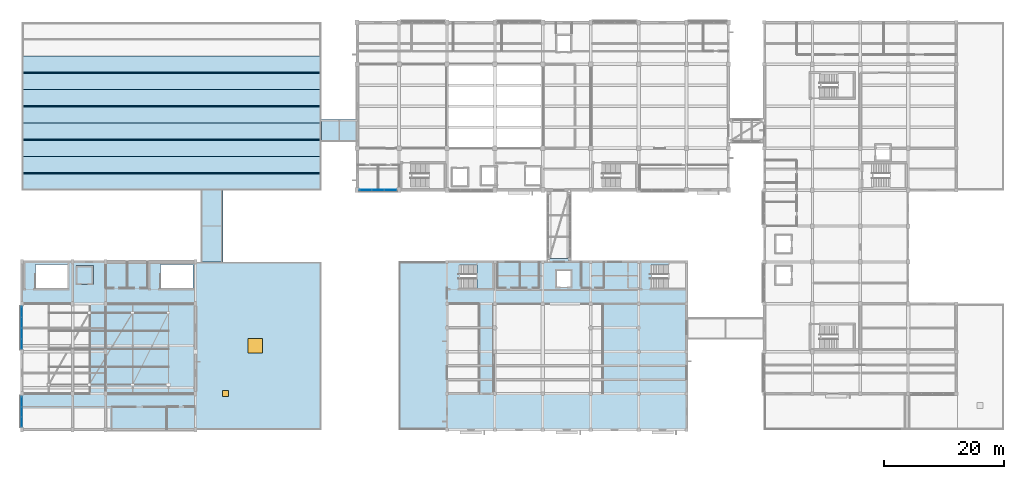
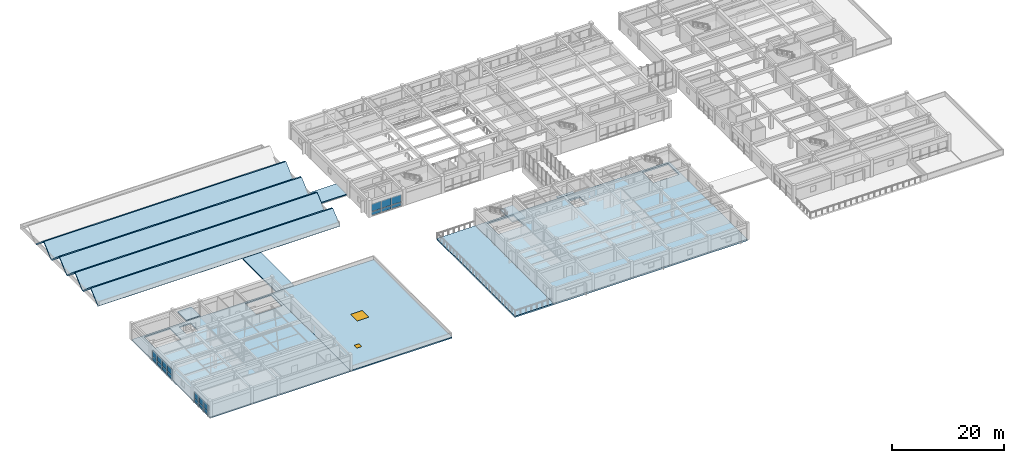
# One storey, part 18 of 42: 21 plates, 16 slabs, 1 door, 1 window, 2 openings, 4 elements without a shape of their own.
"""IFC4 building model written with IfcOpenShell, lengths in metres."""

from ifc_helpers import new_model, si_unit, direction, frame, origin, origin_2d, place, context, subcontext, project, spatial, polyline, rectangle, outline, extrude, material, layer, layer_set, type_object, element, fill, aggregate, save


model = new_model("IFC4")

# Units and contexts
model_context = context("Model", 3, precision=1e-05, world=origin(), true_north=direction((0.0, 1.0)))
body_context = subcontext(model_context, "Body", "Model", "MODEL_VIEW")
ifc_project = project(units=[si_unit("LENGTHUNIT", "METRE"), si_unit("AREAUNIT", "SQUARE_METRE"), si_unit("VOLUMEUNIT", "CUBIC_METRE"), si_unit("PLANEANGLEUNIT", "RADIAN"), si_unit("MASSUNIT", "GRAM", prefix="KILO")], contexts=[model_context])

# Site, building, storey
site_placement = place(None, origin())
site = spatial("IfcSite", under=ifc_project, at=site_placement, CompositionType="ELEMENT")
building_placement = place(site_placement, origin())
building = spatial("IfcBuilding", under=site, at=building_placement, Name="Naurynzar Civic Courthouse", CompositionType="ELEMENT")
storey_placement = place(building_placement, frame((0.0, 0.0, 18.300048828125)))
storey = spatial("IfcBuildingStorey", under=building, at=storey_placement, Name="L05", CompositionType="ELEMENT", Elevation=18.300048828125)

# Curtain wall, plates
ifc_material_1 = material(Name="Aluminium 6063-T6", Category="aluminium")
ifc_layer_1 = layer(ifc_material_1, 0.159912109375)
ifc_layer_set_1 = layer_set([ifc_layer_1], Name="CW-UNIT-1800")
curtain_wall_type = type_object("IfcCurtainWallType", Name="CW-UNIT-1800", PredefinedType="NOTDEFINED", material=ifc_layer_set_1)
curtain_wall_1_placement = place(storey_placement, origin())
curtain_wall_1 = element("IfcCurtainWall", 1, at=curtain_wall_1_placement, inside=storey, type_object=curtain_wall_type, Name="V2 unitised curtain wall 42 L05", PredefinedType="NOTDEFINED")
ifc_material_2 = material(Name="Tempered Laminated Low-E Glass", Category="glass")
ifc_layer_2 = layer(ifc_material_2, 0.035888671875)
ifc_layer_set_2 = layer_set([ifc_layer_2], Name="CWP-IGU-36")
plate_type_1 = type_object("IfcPlateType", Name="CWP-IGU-36", PredefinedType="CURTAIN_PANEL", material=ifc_layer_set_2)
plate_1_placement = place(storey_placement, frame((67.56591796875, 44.0, 0.06982421875), z_axis=(0.0, 0.0, 1.0), x_axis=(-1.0, 0.0, 0.0)))
plate_1 = element("IfcPlate", 2, at=plate_1_placement, type_object=plate_type_1, Name="CW-02 panel 1.1", PredefinedType="CURTAIN_PANEL", context=body_context, shape_type="SweptSolid", body=[
    extrude(rectangle(XDim=1.978271484375, YDim=0.035888671875, at=origin_2d()), origin(), (0.0, 0.0, 1.0), 0.7451171875),
])
plate_2_placement = place(storey_placement, frame((67.56591796875, 44.0, 0.885009765625), z_axis=(0.0, 0.0, 1.0), x_axis=(-1.0, 0.0, 0.0)))
plate_2 = element("IfcPlate", 3, at=plate_2_placement, type_object=plate_type_1, Name="CW-02 panel 1.2", PredefinedType="CURTAIN_PANEL", context=body_context, shape_type="SweptSolid", body=[
    extrude(rectangle(XDim=1.978271484375, YDim=0.035888671875, at=origin_2d()), origin(), (0.0, 0.0, 1.0), 1.64501953125),
])
plate_3_placement = place(storey_placement, frame((65.5, 44.0, 0.06982421875), z_axis=(0.0, 0.0, 1.0), x_axis=(-1.0, 0.0, 0.0)))
plate_3 = element("IfcPlate", 4, at=plate_3_placement, type_object=plate_type_1, Name="CW-02 panel 2.1", PredefinedType="CURTAIN_PANEL", context=body_context, shape_type="SweptSolid", body=[
    extrude(rectangle(XDim=2.013427734375, YDim=0.035888671875, at=origin_2d()), origin(), (0.0, 0.0, 1.0), 0.7451171875),
])
plate_4_placement = place(storey_placement, frame((65.5, 44.0, 0.885009765625), z_axis=(0.0, 0.0, 1.0), x_axis=(-1.0, 0.0, 0.0)))
plate_4 = element("IfcPlate", 5, at=plate_4_placement, type_object=plate_type_1, Name="CW-02 panel 2.2", PredefinedType="CURTAIN_PANEL", context=body_context, shape_type="SweptSolid", body=[
    extrude(rectangle(XDim=2.013427734375, YDim=0.035888671875, at=origin_2d()), origin(), (0.0, 0.0, 1.0), 1.64501953125),
])
plate_5_placement = place(storey_placement, frame((63.43408203125, 44.0, 0.06982421875), z_axis=(0.0, 0.0, 1.0), x_axis=(-1.0, 0.0, 0.0)))
plate_5 = element("IfcPlate", 6, at=plate_5_placement, type_object=plate_type_1, Name="CW-02 panel 3.1", PredefinedType="CURTAIN_PANEL", context=body_context, shape_type="SweptSolid", body=[
    extrude(rectangle(XDim=1.978271484375, YDim=0.035888671875, at=origin_2d()), origin(), (0.0, 0.0, 1.0), 0.7451171875),
])
plate_6_placement = place(storey_placement, frame((63.43408203125, 44.0, 0.885009765625), z_axis=(0.0, 0.0, 1.0), x_axis=(-1.0, 0.0, 0.0)))
plate_6 = element("IfcPlate", 7, at=plate_6_placement, type_object=plate_type_1, Name="CW-02 panel 3.2", PredefinedType="CURTAIN_PANEL", context=body_context, shape_type="SweptSolid", body=[
    extrude(rectangle(XDim=1.978271484375, YDim=0.035888671875, at=origin_2d()), origin(), (0.0, 0.0, 1.0), 1.64501953125),
])
aggregate(curtain_wall_1, [plate_1, plate_2, plate_3, plate_4, plate_5, plate_6])

curtain_wall_2_placement = place(storey_placement, origin())
curtain_wall_2 = element("IfcCurtainWall", 8, at=curtain_wall_2_placement, inside=storey, type_object=curtain_wall_type, Name="V4 unitised curtain wall 83 L05", PredefinedType="NOTDEFINED")
plate_7_placement = place(storey_placement, frame((6.0, 5.30078125, 0.06982421875), z_axis=(0.0, 0.0, 1.0), x_axis=(0.0, 1.0, 0.0)))
plate_7 = element("IfcPlate", 9, at=plate_7_placement, type_object=plate_type_1, Name="CW-02 panel 1.1", PredefinedType="CURTAIN_PANEL", context=body_context, shape_type="SweptSolid", body=[
    extrude(rectangle(XDim=1.611572265625, YDim=0.035888671875, at=origin_2d()), origin(), (0.0, 0.0, 1.0), 0.7451171875),
])
plate_8_placement = place(storey_placement, frame((6.0, 5.30078125, 0.885009765625), z_axis=(0.0, 0.0, 1.0), x_axis=(0.0, 1.0, 0.0)))
plate_8 = element("IfcPlate", 10, at=plate_8_placement, type_object=plate_type_1, Name="CW-02 panel 1.2", PredefinedType="CURTAIN_PANEL", context=body_context, shape_type="SweptSolid", body=[
    extrude(rectangle(XDim=1.611572265625, YDim=0.035888671875, at=origin_2d()), origin(), (0.0, 0.0, 1.0), 1.39501953125),
])
plate_9_placement = place(storey_placement, frame((6.0, 7.0, 0.06982421875), z_axis=(0.0, 0.0, 1.0), x_axis=(0.0, 1.0, 0.0)))
plate_9 = element("IfcPlate", 11, at=plate_9_placement, type_object=plate_type_1, Name="CW-02 panel 2.1", PredefinedType="CURTAIN_PANEL", context=body_context, shape_type="SweptSolid", body=[
    extrude(rectangle(XDim=1.646728515625, YDim=0.035888671875, at=origin_2d()), origin(), (0.0, 0.0, 1.0), 0.7451171875),
])
plate_10_placement = place(storey_placement, frame((6.0, 7.0, 0.885009765625), z_axis=(0.0, 0.0, 1.0), x_axis=(0.0, 1.0, 0.0)))
plate_10 = element("IfcPlate", 12, at=plate_10_placement, type_object=plate_type_1, Name="CW-02 panel 2.2", PredefinedType="CURTAIN_PANEL", context=body_context, shape_type="SweptSolid", body=[
    extrude(rectangle(XDim=1.646728515625, YDim=0.035888671875, at=origin_2d()), origin(), (0.0, 0.0, 1.0), 1.39501953125),
])
plate_11_placement = place(storey_placement, frame((6.0, 8.69921875, 0.06982421875), z_axis=(0.0, 0.0, 1.0), x_axis=(0.0, 1.0, 0.0)))
plate_11 = element("IfcPlate", 13, at=plate_11_placement, type_object=plate_type_1, Name="CW-02 panel 3.1", PredefinedType="CURTAIN_PANEL", context=body_context, shape_type="SweptSolid", body=[
    extrude(rectangle(XDim=1.611572265625, YDim=0.035888671875, at=origin_2d()), origin(), (0.0, 0.0, 1.0), 0.7451171875),
])
plate_12_placement = place(storey_placement, frame((6.0, 8.69921875, 0.885009765625), z_axis=(0.0, 0.0, 1.0), x_axis=(0.0, 1.0, 0.0)))
plate_12 = element("IfcPlate", 14, at=plate_12_placement, type_object=plate_type_1, Name="CW-02 panel 3.2", PredefinedType="CURTAIN_PANEL", context=body_context, shape_type="SweptSolid", body=[
    extrude(rectangle(XDim=1.611572265625, YDim=0.035888671875, at=origin_2d()), origin(), (0.0, 0.0, 1.0), 1.39501953125),
])
aggregate(curtain_wall_2, [plate_7, plate_8, plate_9, plate_10, plate_11, plate_12])

curtain_wall_3_placement = place(storey_placement, origin())
curtain_wall_3 = element("IfcCurtainWall", 15, at=curtain_wall_3_placement, inside=storey, type_object=curtain_wall_type, Name="V4 unitised curtain wall 84 L05", PredefinedType="NOTDEFINED")
plate_13_placement = place(storey_placement, frame((6.0, 18.336181640625, 0.06982421875), z_axis=(0.0, 0.0, 1.0), x_axis=(0.0, 1.0, 0.0)))
plate_13 = element("IfcPlate", 16, at=plate_13_placement, type_object=plate_type_1, Name="CW-02 panel 1.1", PredefinedType="CURTAIN_PANEL", context=body_context, shape_type="SweptSolid", body=[
    extrude(rectangle(XDim=1.6826171875, YDim=0.035888671875, at=origin_2d()), origin(), (0.0, 0.0, 1.0), 0.7451171875),
])
plate_14_placement = place(storey_placement, frame((6.0, 18.336181640625, 0.885009765625), z_axis=(0.0, 0.0, 1.0), x_axis=(0.0, 1.0, 0.0)))
plate_14 = element("IfcPlate", 17, at=plate_14_placement, type_object=plate_type_1, Name="CW-02 panel 1.2", PredefinedType="CURTAIN_PANEL", context=body_context, shape_type="SweptSolid", body=[
    extrude(rectangle(XDim=1.6826171875, YDim=0.035888671875, at=origin_2d()), origin(), (0.0, 0.0, 1.0), 1.39501953125),
])
plate_15_placement = place(storey_placement, frame((6.0, 20.106201171875, 0.06982421875), z_axis=(0.0, 0.0, 1.0), x_axis=(0.0, 1.0, 0.0)))
plate_15 = element("IfcPlate", 18, at=plate_15_placement, type_object=plate_type_1, Name="CW-02 panel 2.1", PredefinedType="CURTAIN_PANEL", context=body_context, shape_type="SweptSolid", body=[
    extrude(rectangle(XDim=1.717529296875, YDim=0.035888671875, at=origin_2d()), origin(), (0.0, 0.0, 1.0), 0.7451171875),
])
plate_16_placement = place(storey_placement, frame((6.0, 20.106201171875, 0.885009765625), z_axis=(0.0, 0.0, 1.0), x_axis=(0.0, 1.0, 0.0)))
plate_16 = element("IfcPlate", 19, at=plate_16_placement, type_object=plate_type_1, Name="CW-02 panel 2.2", PredefinedType="CURTAIN_PANEL", context=body_context, shape_type="SweptSolid", body=[
    extrude(rectangle(XDim=1.717529296875, YDim=0.035888671875, at=origin_2d()), origin(), (0.0, 0.0, 1.0), 1.39501953125),
])
plate_17_placement = place(storey_placement, frame((6.0, 21.893798828125, 0.06982421875), z_axis=(0.0, 0.0, 1.0), x_axis=(0.0, 1.0, 0.0)))
plate_17 = element("IfcPlate", 20, at=plate_17_placement, type_object=plate_type_1, Name="CW-02 panel 3.1", PredefinedType="CURTAIN_PANEL", context=body_context, shape_type="SweptSolid", body=[
    extrude(rectangle(XDim=1.717529296875, YDim=0.035888671875, at=origin_2d()), origin(), (0.0, 0.0, 1.0), 0.7451171875),
])
plate_18_placement = place(storey_placement, frame((6.0, 21.893798828125, 0.885009765625), z_axis=(0.0, 0.0, 1.0), x_axis=(0.0, 1.0, 0.0)))
plate_18 = element("IfcPlate", 21, at=plate_18_placement, type_object=plate_type_1, Name="CW-02 panel 3.2", PredefinedType="CURTAIN_PANEL", context=body_context, shape_type="SweptSolid", body=[
    extrude(rectangle(XDim=1.717529296875, YDim=0.035888671875, at=origin_2d()), origin(), (0.0, 0.0, 1.0), 1.39501953125),
])
plate_19_placement = place(storey_placement, frame((6.0, 23.663818359375, 0.06982421875), z_axis=(0.0, 0.0, 1.0), x_axis=(0.0, 1.0, 0.0)))
plate_19 = element("IfcPlate", 22, at=plate_19_placement, type_object=plate_type_1, Name="CW-02 panel 4.1", PredefinedType="CURTAIN_PANEL", context=body_context, shape_type="SweptSolid", body=[
    extrude(rectangle(XDim=1.6826171875, YDim=0.035888671875, at=origin_2d()), origin(), (0.0, 0.0, 1.0), 0.7451171875),
])
plate_20_placement = place(storey_placement, frame((6.0, 23.663818359375, 0.885009765625), z_axis=(0.0, 0.0, 1.0), x_axis=(0.0, 1.0, 0.0)))
plate_20 = element("IfcPlate", 23, at=plate_20_placement, type_object=plate_type_1, Name="CW-02 panel 4.2", PredefinedType="CURTAIN_PANEL", context=body_context, shape_type="SweptSolid", body=[
    extrude(rectangle(XDim=1.6826171875, YDim=0.035888671875, at=origin_2d()), origin(), (0.0, 0.0, 1.0), 1.39501953125),
])
aggregate(curtain_wall_3, [plate_13, plate_14, plate_15, plate_16, plate_17, plate_18, plate_19, plate_20])

# Plate
ifc_material_3 = material(Name="Brushed Stainless Steel 304", Category="steel")
ifc_layer_3 = layer(ifc_material_3, 0.011962890625)
ifc_layer_set_3 = layer_set([ifc_layer_3], Name="PLT-SEISMIC-COVER-12")
plate_type_2 = type_object("IfcPlateType", Name="PLT-SEISMIC-COVER-12", PredefinedType="SHEET", material=ifc_layer_set_3)
plate_21_placement = place(storey_placement, frame((95.699951171875, 32.300048828125, 0.0), z_axis=(0.0, 0.0, 1.0), x_axis=(1.0, 0.0, 0.0)))
element("IfcPlate", 24, at=plate_21_placement, inside=storey, type_object=plate_type_2, Name="BR-C1 seismic floor joint cover plate L05", PredefinedType="SHEET", context=body_context, shape_type="SweptSolid", body=[
    extrude(rectangle(XDim=3.39990234375, YDim=0.60009765625, at=origin_2d()), origin(), (0.0, 0.0, 1.0), 0.011962890625),
])

# Slabs
ifc_material_4 = material(Name="Concrete C40/50", Category="concrete")
ifc_layer_4 = layer(ifc_material_4, 0.22998046875)
ifc_layer_set_4 = layer_set([ifc_layer_4], Name="ROOF-CRWN-230")
slab_type_1 = type_object("IfcSlabType", Name="ROOF-CRWN-230", PredefinedType="ROOF", material=ifc_layer_set_4)
slab_1_placement = place(storey_placement, frame((0.0, 0.0, -0.22998046875)))
element("IfcSlab", 25, at=slab_1_placement, inside=storey, type_object=slab_type_1, Name="West Atrium Seismic Link Passage roof slab", PredefinedType="ROOF", context=body_context, shape_type="SweptSolid", body=[
    extrude(outline(polyline([(35.820068359375, 32.02001953125), (39.580078125, 32.02001953125), (39.580078125, 43.97998046875), (35.820068359375, 43.97998046875), (35.820068359375, 32.02001953125)])), origin(), (0.0, 0.0, 1.0), 0.22998046875),
])
slab_2_placement = place(storey_placement, frame((0.0, 0.0, -0.22998046875)))
element("IfcSlab", 26, at=slab_2_placement, inside=storey, type_object=slab_type_1, Name="North Ceremonial Seismic Link Passage roof slab", PredefinedType="ROOF", context=body_context, shape_type="SweptSolid", body=[
    extrude(outline(polyline([(56.02001953125, 52.02001953125), (61.97998046875, 52.02001953125), (61.97998046875, 55.780029296875), (56.02001953125, 55.780029296875), (56.02001953125, 52.02001953125)])), origin(), (0.0, 0.0, 1.0), 0.22998046875),
])
slab_3_placement = place(storey_placement, frame((0.0, 0.0, 3.119873046875)))
element("IfcSlab", 27, at=slab_3_placement, inside=storey, type_object=slab_type_1, Name="Lift LP-02 overrun cap slab", PredefinedType="ROOF", context=body_context, shape_type="SweptSolid", body=[
    extrude(outline(polyline([(15.050048828125, 28.199951171875), (17.949951171875, 28.199951171875), (17.949951171875, 31.39990234375), (15.050048828125, 31.39990234375), (15.050048828125, 28.199951171875)])), origin(), (0.0, 0.0, 1.0), 0.18017578125),
])

# Slab, openings, door, window
ifc_material_5 = material(Name="Concrete C40/50", Category="concrete")
ifc_layer_5 = layer(ifc_material_5, 0.27001953125)
ifc_layer_set_5 = layer_set([ifc_layer_5], Name="ROOF-FLAT-270")
slab_type_2 = type_object("IfcSlabType", Name="ROOF-FLAT-270", PredefinedType="ROOF", material=ifc_layer_set_5)
slab_4_placement = place(storey_placement, frame((0.0, 0.0, -0.27001953125)))
slab_4 = element("IfcSlab", 28, at=slab_4_placement, inside=storey, type_object=slab_type_2, Name="V4 east registry wing flat roof slab", PredefinedType="ROOF", context=body_context, shape_type="SweptSolid", body=[
    extrude(outline(polyline([(35.0, 4.0), (56.0, 4.0), (56.0, 32.0), (35.0, 32.0), (35.0, 4.0)])), origin(), (0.0, 0.0, 1.0), 0.27001953125),
])
opening_1_placement = place(slab_4_placement, frame((45.0, 18.0, 0.0)))
opening_1 = element("IfcOpeningElement", 29, at=opening_1_placement, cuts=slab_4, Name="Opening SK-01", PredefinedType="OPENING", context=body_context, shape_type="SweptSolid", body=[
    extrude(rectangle(XDim=2.39990234375, YDim=2.39990234375, at=origin_2d()), origin(), (0.0, 0.0, 1.0), 0.27001953125),
])
opening_2_placement = place(slab_4_placement, frame((40.0, 10.0, 0.0)))
opening_2 = element("IfcOpeningElement", 30, at=opening_2_placement, cuts=slab_4, Name="Opening RH-01", PredefinedType="OPENING", context=body_context, shape_type="SweptSolid", body=[
    extrude(rectangle(XDim=1.0, YDim=1.0, at=origin_2d()), origin(), (0.0, 0.0, 1.0), 0.27001953125),
])
ifc_material_6 = material(Name="Powder-Coated Galvanised Steel", Category="steel")
door_type = type_object("IfcDoorType", Name="HT-ROOF-1000x1000", OperationType="SINGLE_SWING_LEFT", PredefinedType="TRAPDOOR", material=ifc_material_6)
door_placement = place(opening_2_placement, frame((0.0, 0.0, 0.219970703125)))
door = element("IfcDoor", 31, at=door_placement, inside=storey, type_object=door_type, Name="Roof maintenance access hatch RH-01", OperationType="SINGLE_SWING_LEFT", OverallHeight=1.0, OverallWidth=1.0, PredefinedType="TRAPDOOR", context=body_context, shape_type="SweptSolid", body=[
    extrude(rectangle(XDim=1.0, YDim=1.0, at=origin_2d()), origin(), (0.0, 0.0, 1.0), 0.050048828125),
])
fill(opening_2, door)
ifc_material_7 = material(Name="Tempered Laminated Low-E Glass", Category="glass")
window_type = type_object("IfcWindowType", Name="SKY-HALL-2400x2400", PartitioningType="DOUBLE_PANEL_VERTICAL", PredefinedType="SKYLIGHT", material=ifc_material_7)
window_placement = place(opening_1_placement, frame((0.0, 0.0, 0.219970703125)))
window = element("IfcWindow", 32, at=window_placement, inside=storey, type_object=window_type, Name="Roof daylight skylight SKY-06", OverallHeight=2.39990234375, OverallWidth=2.39990234375, PartitioningType="SINGLE_PANEL", PredefinedType="SKYLIGHT", context=body_context, shape_type="SweptSolid", body=[
    extrude(rectangle(XDim=2.39990234375, YDim=2.39990234375, at=origin_2d()), origin(), (0.0, 0.0, 1.0), 0.050048828125),
])
fill(opening_1, window)

# Slabs
ifc_material_8 = material(Name="Concrete C40/50", Category="concrete")
ifc_layer_6 = layer(ifc_material_8, 0.260009765625)
ifc_layer_set_6 = layer_set([ifc_layer_6], Name="ROOF-FOLD-260")
slab_type_3 = type_object("IfcSlabType", Name="ROOF-FOLD-260", PredefinedType="ROOF", material=ifc_layer_set_6)
slab_5_placement = place(storey_placement, frame((6.0, 44.0, 0.0), z_axis=(0.0, -0.650808590122, 0.759241844885), x_axis=(1.0, 0.0, 0.0)))
element("IfcSlab", 33, at=slab_5_placement, inside=storey, type_object=slab_type_3, Name="V1 Ceremonial Court signature folded-plate roof facet 1", PredefinedType="ROOF", context=body_context, shape_type="SweptSolid", body=[
    extrude(outline(polyline([(0.0, 0.0), (50.0, 0.0), (50.0, 3.503379229288212), (0.0, 3.503379229288212), (0.0, 0.0)])), origin(), (0.0, 0.0, -1.0), 0.260009765625),
])
slab_6_placement = place(storey_placement, frame((6.0, 46.93994140625, 2.280029296875), z_axis=(0.0, 0.650774157366, 0.759271358675), x_axis=(1.0, 0.0, 0.0)))
element("IfcSlab", 34, at=slab_6_placement, inside=storey, type_object=slab_type_3, Name="V1 Ceremonial Court signature folded-plate roof facet 2", PredefinedType="ROOF", context=body_context, shape_type="SweptSolid", body=[
    extrude(outline(polyline([(0.0, 0.0), (50.0, 0.0), (50.0, 3.5035645946696015), (0.0, 3.5035645946696015), (0.0, 0.0)])), origin(), (0.0, 0.0, -1.0), 0.260009765625),
])
for number, where, z_axis, x_axis, name in (
    (35, (6.0, 49.60009765625, 0.0), (0.0, -0.650808590122, 0.759241844885), (1.0, 0.0, 0.0), "V1 Ceremonial Court signature folded-plate roof facet 3"),
    (36, (6.0, 52.5400390625, 2.280029296875), (0.0, 0.650808590122, 0.759241844885), (1.0, 0.0, 0.0), "V1 Ceremonial Court signature folded-plate roof facet 4"),
):
    element("IfcSlab", number, at=place(storey_placement, frame(where, z_axis=z_axis, x_axis=x_axis)), inside=storey, type_object=slab_type_3, Name=name, PredefinedType="ROOF", context=body_context, shape_type="SweptSolid", body=[
        extrude(outline(polyline([(0.0, 0.0), (50.0, 0.0), (50.0, 3.503379229288212), (0.0, 3.503379229288212), (0.0, 0.0)])), origin(), (0.0, 0.0, -1.0), 0.260009765625),
    ])
for number, where, z_axis, x_axis, name in (
    (37, (6.0, 55.199951171875, 0.0), (0.0, -0.650774157366, 0.759271358675), (1.0, 0.0, 0.0), "V1 Ceremonial Court signature folded-plate roof facet 5"),
    (38, (6.0, 58.139892578125, 2.280029296875), (0.0, 0.650774157366, 0.759271358675), (1.0, 0.0, 0.0), "V1 Ceremonial Court signature folded-plate roof facet 6"),
):
    element("IfcSlab", number, at=place(storey_placement, frame(where, z_axis=z_axis, x_axis=x_axis)), inside=storey, type_object=slab_type_3, Name=name, PredefinedType="ROOF", context=body_context, shape_type="SweptSolid", body=[
        extrude(outline(polyline([(0.0, 0.0), (50.0, 0.0), (50.0, 3.5035645946696015), (0.0, 3.5035645946696015), (0.0, 0.0)])), origin(), (0.0, 0.0, -1.0), 0.260009765625),
    ])
for number, where, z_axis, x_axis, name in (
    (39, (6.0, 60.800048828125, 0.0), (0.0, -0.650808590122, 0.759241844885), (1.0, 0.0, 0.0), "V1 Ceremonial Court signature folded-plate roof facet 7"),
    (40, (6.0, 63.739990234375, 2.280029296875), (0.0, 0.650808590122, 0.759241844885), (1.0, 0.0, 0.0), "V1 Ceremonial Court signature folded-plate roof facet 8"),
):
    element("IfcSlab", number, at=place(storey_placement, frame(where, z_axis=z_axis, x_axis=x_axis)), inside=storey, type_object=slab_type_3, Name=name, PredefinedType="ROOF", context=body_context, shape_type="SweptSolid", body=[
        extrude(outline(polyline([(0.0, 0.0), (50.0, 0.0), (50.0, 3.503379229288212), (0.0, 3.503379229288212), (0.0, 0.0)])), origin(), (0.0, 0.0, -1.0), 0.260009765625),
    ])
ifc_material_9 = material(Name="Concrete C35/45", Category="concrete")
ifc_layer_7 = layer(ifc_material_9, 0.260009765625)
ifc_layer_set_7 = layer_set([ifc_layer_7], Name="SLB-HALL-260")
slab_type_4 = type_object("IfcSlabType", Name="SLB-HALL-260", PredefinedType="FLOOR", material=ifc_layer_set_7)
slab_7_placement = place(storey_placement, frame((0.0, 0.0, -0.260009765625)))
element("IfcSlab", 41, at=slab_7_placement, inside=storey, type_object=slab_type_4, Name="V4 floor slab L05", PredefinedType="FLOOR", context=body_context, shape_type="SweptSolid", body=[
    extrude(outline(polyline([(35.0, 4.0), (35.0, 32.0), (6.0, 32.0), (6.0, 4.0), (35.0, 4.0)]), holes=[polyline([(8.280029296875, 27.60009765625), (13.64990234375, 27.60009765625), (13.64990234375, 31.60009765625), (8.280029296875, 31.60009765625), (8.280029296875, 27.60009765625)]), polyline([(29.179931640625, 27.60009765625), (34.550048828125, 27.60009765625), (34.550048828125, 31.60009765625), (29.179931640625, 31.60009765625), (29.179931640625, 27.60009765625)]), polyline([(15.300048828125, 28.449951171875), (17.699951171875, 28.449951171875), (17.699951171875, 31.14990234375), (15.300048828125, 31.14990234375), (15.300048828125, 28.449951171875)])]), origin(), (0.0, 0.0, 1.0), 0.260009765625),
])

# Stair, slab
ifc_material_10 = material(Name="Concrete C35/45", Category="concrete")
stair_type = type_object("IfcStairType", Name="STAIR-CORE-1600", PredefinedType="TWO_STRAIGHT_RUN_STAIR", material=ifc_material_10)
stair_placement = place(storey_placement, origin())
stair = element("IfcStair", 42, at=stair_placement, inside=storey, type_object=stair_type, Name="Enclosed escape stair ST-V3A L05", PredefinedType="TWO_STRAIGHT_RUN_STAIR")
ifc_material_11 = material(Name="Concrete C35/45", Category="concrete")
ifc_layer_8 = layer(ifc_material_11, 0.199951171875)
ifc_layer_set_8 = layer_set([ifc_layer_8], Name="SLB-LAND-200")
slab_type_5 = type_object("IfcSlabType", Name="SLB-LAND-200", PredefinedType="LANDING", material=ifc_layer_set_8)
slab_8_placement = place(storey_placement, frame((0.0, 0.0, 1.675048828125)))
slab_8 = element("IfcSlab", 43, at=slab_8_placement, type_object=slab_type_5, Name="ST-V3A-L05 landing 1", PredefinedType="LANDING", context=body_context, shape_type="SweptSolid", body=[
    extrude(outline(polyline([(81.97998046875, 27.47998046875), (84.669921875, 27.47998046875), (84.669921875, 31.919921875), (81.97998046875, 31.919921875), (81.97998046875, 27.47998046875)])), origin(), (0.0, 0.0, 1.0), 0.199951171875),
])
aggregate(stair, [slab_8])

# Slabs
ifc_material_12 = material(Name="Concrete C35/45", Category="concrete")
ifc_layer_9 = layer(ifc_material_12, 0.340087890625)
ifc_layer_set_9 = layer_set([ifc_layer_9], Name="SLB-STACK-340")
slab_type_6 = type_object("IfcSlabType", Name="SLB-STACK-340", PredefinedType="FLOOR", material=ifc_layer_set_9)
slab_9_placement = place(storey_placement, frame((0.0, 0.0, -0.340087890625)))
element("IfcSlab", 44, at=slab_9_placement, inside=storey, type_object=slab_type_6, Name="V3 floor slab L05", PredefinedType="FLOOR", context=body_context, shape_type="SweptSolid", body=[
    extrude(outline(polyline([(117.0, 4.0), (117.0, 32.0), (77.0, 32.0), (77.0, 4.0), (117.0, 4.0)]), holes=[polyline([(79.179931640625, 27.60009765625), (84.550048828125, 27.60009765625), (84.550048828125, 31.60009765625), (79.179931640625, 31.60009765625), (79.179931640625, 27.60009765625)]), polyline([(111.179931640625, 27.60009765625), (116.550048828125, 27.60009765625), (116.550048828125, 31.60009765625), (111.179931640625, 31.60009765625), (111.179931640625, 27.60009765625)]), polyline([(95.300048828125, 27.85009765625), (97.699951171875, 27.85009765625), (97.699951171875, 30.550048828125), (95.300048828125, 30.550048828125), (95.300048828125, 27.85009765625)])]), origin(), (0.0, 0.0, 1.0), 0.340087890625),
])
ifc_material_13 = material(Name="Concrete C35/45", Category="concrete")
ifc_layer_10 = layer(ifc_material_13, 0.320068359375)
ifc_layer_set_10 = layer_set([ifc_layer_10], Name="SLB-TERR-320")
slab_type_7 = type_object("IfcSlabType", Name="SLB-TERR-320", PredefinedType="FLOOR", material=ifc_layer_set_10)
slab_10_placement = place(storey_placement, frame((0.0, 0.0, -0.320068359375)))
element("IfcSlab", 45, at=slab_10_placement, inside=storey, type_object=slab_type_7, Name="Planted roof garden deck RG-V3-L05", PredefinedType="FLOOR", context=body_context, shape_type="SweptSolid", body=[
    extrude(outline(polyline([(69.0, 4.0), (77.0, 4.0), (77.0, 32.0), (69.0, 32.0), (69.0, 4.0)])), origin(), (0.0, 0.0, 1.0), 0.320068359375),
])

save(model, "model.ifc")
